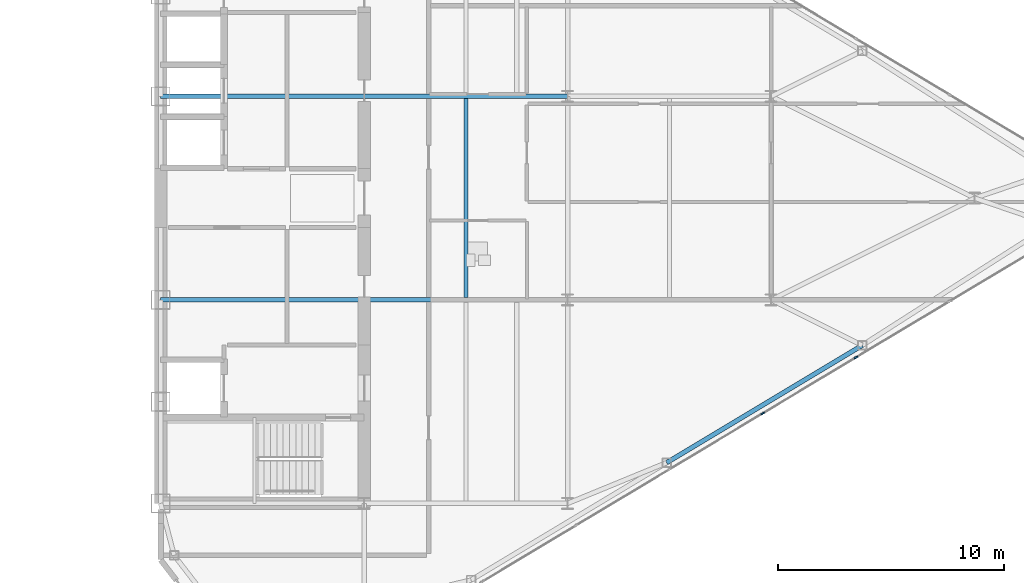
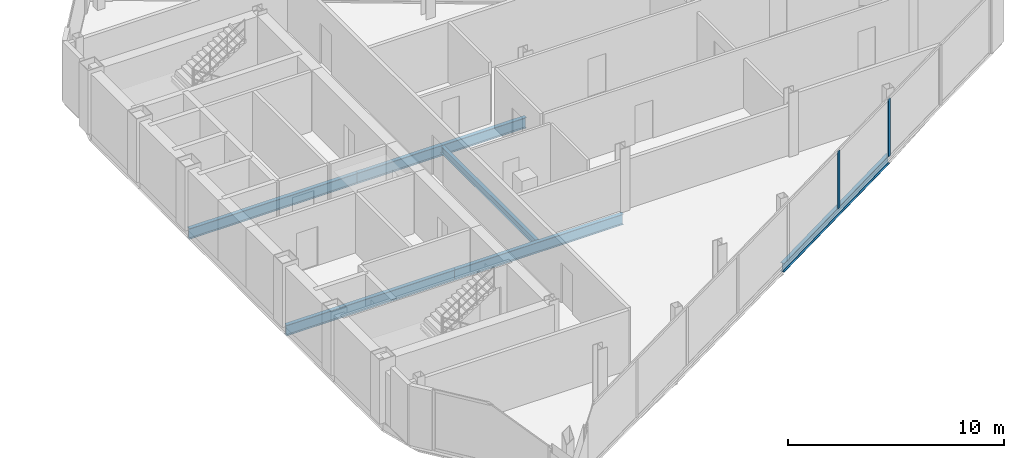
# One storey, part 13 of 25: 6 beams, 2 members, 1 element without a shape of its own.
"""IFC4 building model written with IfcOpenShell, lengths in metres."""

from ifc_helpers import new_model, si_unit, direction, frame, origin, origin_2d, place, context, subcontext, project, spatial, rectangle, i_section, extrude, source, transform, mapped, material, layer, layer_set, material_profile, profile_set, type_object, type_shapes, element, aggregate, save


model = new_model("IFC4")

# Units and contexts
model_context = context("Model", 3, precision=1e-05, world=origin(), true_north=direction((0.0, 1.0)))
body_context = subcontext(model_context, "Body", "Model", "MODEL_VIEW")
ifc_project = project(units=[si_unit("LENGTHUNIT", "METRE"), si_unit("AREAUNIT", "SQUARE_METRE"), si_unit("VOLUMEUNIT", "CUBIC_METRE"), si_unit("PLANEANGLEUNIT", "RADIAN"), si_unit("MASSUNIT", "GRAM", prefix="KILO")], contexts=[model_context])

# Site, building, storey
site_placement = place(None, origin())
site = spatial("IfcSite", under=ifc_project, at=site_placement, CompositionType="ELEMENT")
building_placement = place(site_placement, origin())
building = spatial("IfcBuilding", under=site, at=building_placement, Name="Seokmaru Belvedere", CompositionType="ELEMENT")
storey_placement = place(building_placement, frame((0.0, 0.0, 203.10009765625)))
storey = spatial("IfcBuildingStorey", under=building, at=storey_placement, Name="L54", CompositionType="ELEMENT", Elevation=203.10009765625)

# Beams
ifc_material_1 = material(Name="Steel SM355 (355 MPa)", Category="steel")
ifc_material_profile_1 = material_profile(ifc_material_1, i_section(OverallWidth=0.199951171875, OverallDepth=0.60009765625, WebThickness=0.010986328125, FlangeThickness=0.01708984375, at=origin_2d()), Name="H-600x200x11x17")
ifc_profile_set_1 = profile_set([ifc_material_profile_1], Name="Steel SM355 (355 MPa)")
beam_type_1 = type_object("IfcBeamType", Name="Primary Floor Girder H-600", PredefinedType="BEAM", material=ifc_profile_set_1)
shared_shape_1 = source(origin(), body_context, "Body", "SweptSolid", [
    extrude(i_section(OverallWidth=0.199951171875, OverallDepth=0.60009765625, WebThickness=0.010986328125, FlangeThickness=0.01708984375, at=origin_2d()), origin(), (0.0, 0.0, 1.0), 9.0),
])
type_shapes(beam_type_1, [shared_shape_1])
for number, where, z_axis, x_axis, name in (
    (1, (27.5, -4.5, -0.52001953125), (1.0, 0.0, 0.0), (0.0, 1.0, 0.0), "L54 E Core Tie Girder 2"),
    (2, (36.5, -4.5, -0.52001953125), (1.0, 0.0, 0.0), (0.0, 1.0, 0.0), "L54 E Wing Primary Girder 2"),
    (3, (27.5, 4.5, -0.52001953125), (1.0, 0.0, 0.0), (0.0, 1.0, 0.0), "L54 E Core Tie Girder 3"),
    (4, (36.5, 4.5, -0.52001953125), (1.0, 0.0, 0.0), (0.0, 1.0, 0.0), "L54 E Wing Primary Girder 3"),
):
    element("IfcBeam", number, at=place(storey_placement, frame(where, z_axis=z_axis, x_axis=x_axis)), inside=storey, type_object=beam_type_1, Name=name, PredefinedType="BEAM", context=body_context, shape_type="MappedRepresentation", body=[
        mapped(shared_shape_1, transform((0.0, 0.0, 0.0), scale=1.0)),
    ])
ifc_material_profile_2 = material_profile(ifc_material_1, i_section(OverallWidth=0.18505859375, OverallDepth=0.389892578125, WebThickness=0.008056640625, FlangeThickness=0.011962890625, at=origin_2d()), Name="H-390x185x8x12")
ifc_profile_set_2 = profile_set([ifc_material_profile_2], Name="Steel SM355 (355 MPa)")
beam_type_2 = type_object("IfcBeamType", Name="Secondary Floor Joist H-350", PredefinedType="JOIST", material=ifc_profile_set_2)
shared_shape_2 = source(origin(), body_context, "Body", "SweptSolid", [
    extrude(i_section(OverallWidth=0.18505859375, OverallDepth=0.389892578125, WebThickness=0.008056640625, FlangeThickness=0.011962890625, at=origin_2d()), origin(), (0.0, 0.0, 1.0), 8.7900390625),
])
type_shapes(beam_type_2, [shared_shape_2])
beam_1_placement = place(storey_placement, frame((41.0, -4.39501953125, -0.4150390625), z_axis=(0.0, 1.0, 0.0), x_axis=(-1.0, 0.0, 0.0)))
element("IfcBeam", 5, at=beam_1_placement, inside=storey, type_object=beam_type_2, Name="L54 E Secondary Floor Joist 2", PredefinedType="JOIST", context=body_context, shape_type="MappedRepresentation", body=[
    mapped(shared_shape_2, transform((0.0, 0.0, 0.0), scale=1.0)),
])
ifc_material_profile_3 = material_profile(ifc_material_1, i_section(OverallWidth=0.199951171875, OverallDepth=0.5, WebThickness=0.010009765625, FlangeThickness=0.01611328125, at=origin_2d()), Name="H-500x200x10x16")
ifc_profile_set_3 = profile_set([ifc_material_profile_3], Name="Steel SM355 (355 MPa)")
beam_type_3 = type_object("IfcBeamType", Name="Perimeter Spandrel Beam H-500", PredefinedType="SPANDREL", material=ifc_profile_set_3)
shared_shape_3 = source(origin(), body_context, "Body", "SweptSolid", [
    extrude(i_section(OverallWidth=0.199951171875, OverallDepth=0.5, WebThickness=0.010009765625, FlangeThickness=0.01611328125, at=origin_2d()), origin(), (0.0, 0.0, 1.0), 10.087646484375),
])
type_shapes(beam_type_3, [shared_shape_3])
beam_2_placement = place(storey_placement, frame((49.8798828125, -11.698974609375, -0.47021484375), z_axis=(0.857488654804, 0.514502873542, 0.0), x_axis=(-0.514502873542, 0.857488654804, 0.0)))
element("IfcBeam", 6, at=beam_2_placement, inside=storey, type_object=beam_type_3, Name="L54 E Faceted Flank Spandrel S-3", PredefinedType="SPANDREL", context=body_context, shape_type="MappedRepresentation", body=[
    mapped(shared_shape_3, transform((0.0, 0.0, 0.0), scale=1.0)),
])

# Curtain wall, members
ifc_material_2 = material(Name="Bronze Triple Insulating Glass", Category="glass")
ifc_layer = layer(ifc_material_2, 0.179931640625)
ifc_layer_set = layer_set([ifc_layer], Name="Bronze Triple Insulating Glass")
curtain_wall_type = type_object("IfcCurtainWallType", Name="High-Rise Wind-Corner Curtain Wall System CW-5", PredefinedType="NOTDEFINED", material=ifc_layer_set)
curtain_wall_placement = place(storey_placement, origin())
curtain_wall = element("IfcCurtainWall", 7, at=curtain_wall_placement, inside=storey, type_object=curtain_wall_type, Name="L54 Curtain Wall EF1", PredefinedType="NOTDEFINED")
ifc_material_3 = material(Name="Anodised Bronze Aluminium", Category="aluminium")
ifc_material_profile_4 = material_profile(ifc_material_3, rectangle(XDim=0.06494140625, YDim=0.179931640625, at=origin_2d()), Name="CW-M-65x180")
ifc_profile_set_4 = profile_set([ifc_material_profile_4], Name="Anodised Bronze Aluminium")
member_type = type_object("IfcMemberType", Name="Bronze Unitised Mullion 65x180", PredefinedType="MULLION", material=ifc_profile_set_4)
shared_shape_4 = source(origin(), body_context, "Body", "SweptSolid", [
    extrude(rectangle(XDim=0.06494140625, YDim=0.179931640625, at=origin_2d()), origin(), (0.0, 0.0, 1.0), 3.25),
])
type_shapes(member_type, [shared_shape_4])
member_1_placement = place(storey_placement, frame((54.12841796875, -9.52294921875, 0.06494140625), z_axis=(0.0, 0.0, 1.0), x_axis=(-0.514494909364, 0.85749343335, 0.0)))
member_1 = element("IfcMember", 8, at=member_1_placement, type_object=member_type, Name="CW:L54:EF1 Mullion 6", PredefinedType="MULLION", context=body_context, shape_type="MappedRepresentation", body=[
    mapped(shared_shape_4, transform((0.0, 0.0, 0.0), scale=1.0)),
])
member_2_placement = place(storey_placement, frame((58.257080078125, -7.0458984375, 0.06494140625), z_axis=(0.0, 0.0, 1.0), x_axis=(-0.514494909364, 0.85749343335, 0.0)))
member_2 = element("IfcMember", 9, at=member_2_placement, type_object=member_type, Name="CW:L54:EF1 Mullion 7", PredefinedType="MULLION", context=body_context, shape_type="MappedRepresentation", body=[
    mapped(shared_shape_4, transform((0.0, 0.0, 0.0), scale=1.0)),
])
aggregate(curtain_wall, [member_1, member_2])

save(model, "model.ifc")
